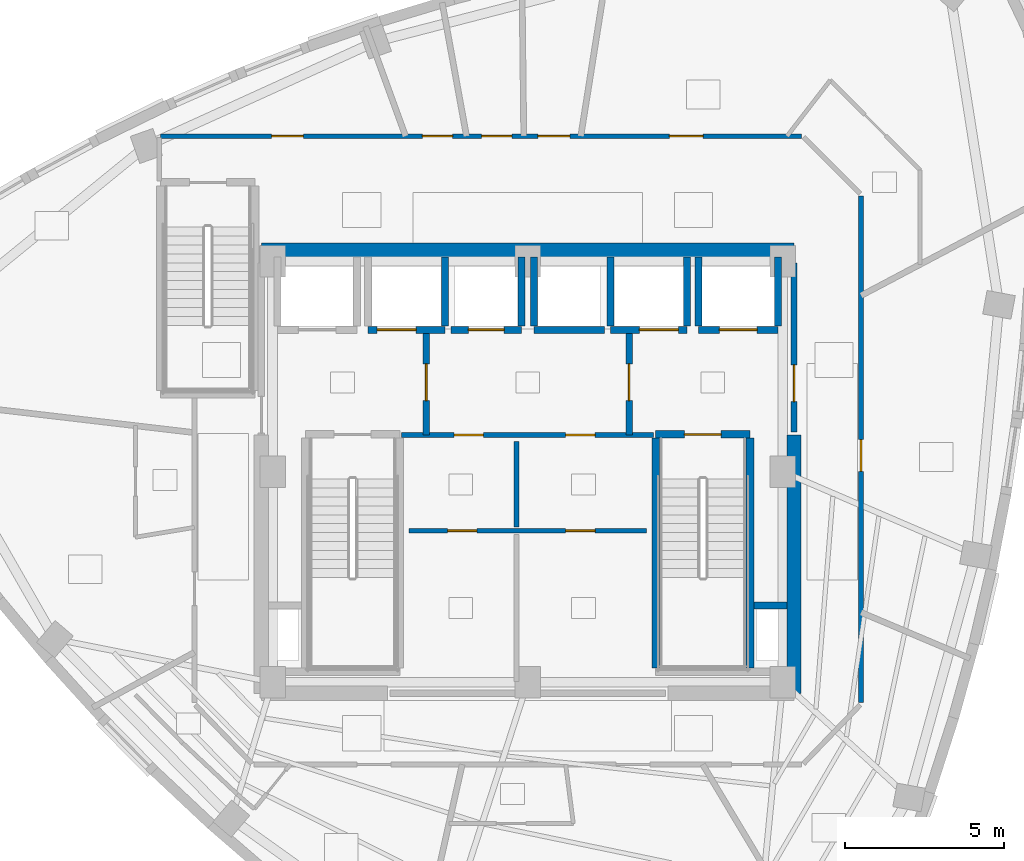
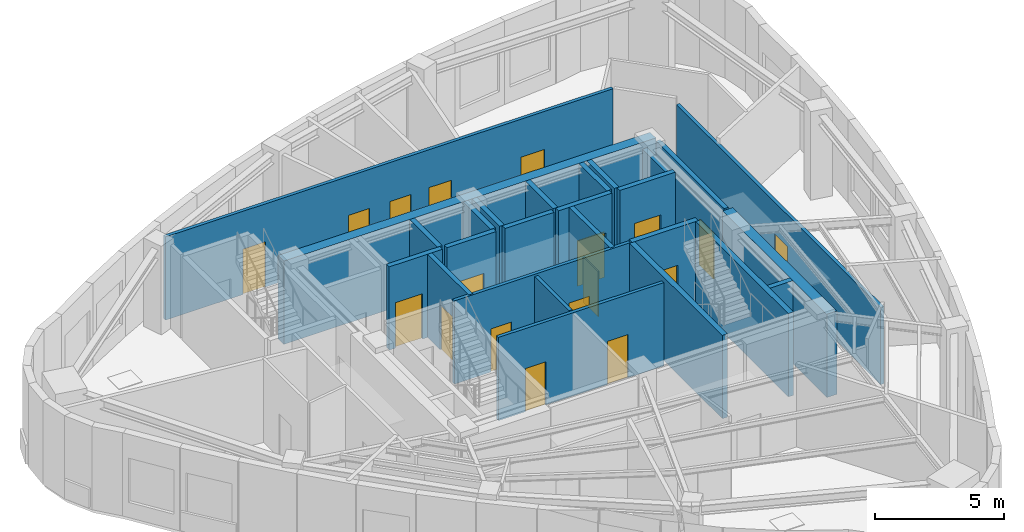
# One storey, part 4 of 9: 26 walls, 18 doors, 18 openings.
"""IFC4 building model written with IfcOpenShell, lengths in metres."""

from ifc_helpers import new_model, si_unit, direction, frame, frame_2d, origin, place, context, subcontext, project, spatial, rectangle, extrude, material, layer, layer_set, type_object, element, fill, save


model = new_model("IFC4")

# Units and contexts
model_context = context("Model", 3, precision=1e-05, world=origin(), true_north=direction((0.0, 1.0)))
body_context = subcontext(model_context, "Body", "Model", "MODEL_VIEW")
ifc_project = project(units=[si_unit("LENGTHUNIT", "METRE"), si_unit("AREAUNIT", "SQUARE_METRE"), si_unit("VOLUMEUNIT", "CUBIC_METRE"), si_unit("PLANEANGLEUNIT", "RADIAN"), si_unit("MASSUNIT", "GRAM", prefix="KILO")], contexts=[model_context])

# Site, building, storey
site_placement = place(None, origin())
site = spatial("IfcSite", under=ifc_project, at=site_placement, CompositionType="ELEMENT")
building_placement = place(site_placement, origin())
building = spatial("IfcBuilding", under=site, at=building_placement, Name="Ndelora Gate Hotel", CompositionType="ELEMENT")
storey_placement = place(building_placement, frame((0.0, 0.0, 264.39990234375)))
storey = spatial("IfcBuildingStorey", under=building, at=storey_placement, Name="L66", CompositionType="ELEMENT", Elevation=264.39990234375)

# Walls
ifc_material_1 = material(Name="Concrete C50/60", Category="concrete")
ifc_layer_1 = layer(ifc_material_1, 0.449951171875)
ifc_layer_set_1 = layer_set([ifc_layer_1], Name="Concrete C50/60")
wall_type_1 = type_object("IfcWallType", Name="WL-CORE-450", PredefinedType="SHEAR", material=ifc_layer_set_1)
wall_1_placement = place(storey_placement, frame((-8.35009765625, 6.949951171875, 0.0), z_axis=(0.0, 0.0, 1.0), x_axis=(1.0, 0.0, 0.0)))
element("IfcWall", 1, at=wall_1_placement, inside=storey, type_object=wall_type_1, Name="L66 Core Shear Wall N", PredefinedType="SHEAR", context=body_context, shape_type="SweptSolid", body=[
    extrude(rectangle(XDim=16.7001953125, YDim=0.449951171875, at=frame_2d((8.35009765625, 0.0))), origin(), (0.0, 0.0, 1.0), 3.9501953125),
])
wall_2_placement = place(storey_placement, frame((8.35009765625, -6.949951171875, 0.0), z_axis=(0.0, 0.0, 1.0), x_axis=(0.0, 1.0, 0.0)))
element("IfcWall", 2, at=wall_2_placement, inside=storey, type_object=wall_type_1, Name="L66 Core Shear Wall E", PredefinedType="SHEAR", context=body_context, shape_type="SweptSolid", body=[
    extrude(rectangle(XDim=8.099853515625, YDim=0.449951171875, at=frame_2d((4.0498046875, 0.0))), origin(), (0.0, 0.0, 1.0), 3.9501953125),
])

# Wall, opening, door
ifc_material_2 = material(Name="Concrete C40/50", Category="concrete")
ifc_layer_2 = layer(ifc_material_2, 0.199951171875)
ifc_layer_set_2 = layer_set([ifc_layer_2], Name="Concrete C40/50")
wall_type_2 = type_object("IfcWallType", Name="WL-FIRE-200", PredefinedType="PARTITIONING", material=ifc_layer_set_2)
wall_3_placement = place(storey_placement, frame((-3.179931640625, 1.14990234375, 0.0), z_axis=(0.0, 0.0, 1.0), x_axis=(0.0, 1.0, 0.0)))
wall_3 = element("IfcWall", 3, at=wall_3_placement, inside=storey, type_object=wall_type_2, Name="L66 Interior Wall IW-2", PredefinedType="PARTITIONING", context=body_context, shape_type="SweptSolid", body=[
    extrude(rectangle(XDim=3.300048828125, YDim=0.199951171875, at=frame_2d((1.64990234375, 0.0))), origin(), (0.0, 0.0, 1.0), 3.9501953125),
])
opening_1_placement = place(wall_3_placement, frame((1.080078125, 0.0, 0.0)))
opening_1 = element("IfcOpeningElement", 4, at=opening_1_placement, cuts=wall_3, Name="Opening FD1", PredefinedType="OPENING", context=body_context, shape_type="SweptSolid", body=[
    extrude(rectangle(XDim=1.14990234375, YDim=2.14990234375, at=frame_2d((0.574951171875, 1.074951171875))), frame((0.0, 0.10986328125, 0.0), z_axis=(0.0, -1.0, 0.0), x_axis=(1.0, 0.0, 0.0)), (0.0, 0.0, 1.0), 0.219970703125),
])
ifc_material_3 = material(Name="Fire-Rated Timber-Veneer Steel Core", Category="steel")
door_type_1 = type_object("IfcDoorType", Name="DR-FD60", OperationType="SINGLE_SWING_LEFT", PredefinedType="DOOR", material=ifc_material_3)
door_1_placement = place(opening_1_placement, origin())
door_1 = element("IfcDoor", 5, at=door_1_placement, inside=storey, type_object=door_type_1, Name="L66 Firefighting Lobby West Door", OperationType="SINGLE_SWING_RIGHT", OverallHeight=2.14990234375, OverallWidth=1.14990234375, PredefinedType="DOOR", context=body_context, shape_type="SweptSolid", body=[
    extrude(rectangle(XDim=1.14990234375, YDim=2.14990234375, at=frame_2d((0.574951171875, 1.074951171875))), frame((0.0, 0.02490234375, 0.0), z_axis=(0.0, -1.0, 0.0), x_axis=(1.0, 0.0, 0.0)), (0.0, 0.0, 1.0), 0.050048828125),
])
fill(opening_1, door_1)

wall_4_placement = place(storey_placement, frame((3.179931640625, 1.14990234375, 0.0), z_axis=(0.0, 0.0, 1.0), x_axis=(0.0, 1.0, 0.0)))
wall_4 = element("IfcWall", 6, at=wall_4_placement, inside=storey, type_object=wall_type_2, Name="L66 Interior Wall IW-2", PredefinedType="PARTITIONING", context=body_context, shape_type="SweptSolid", body=[
    extrude(rectangle(XDim=3.300048828125, YDim=0.199951171875, at=frame_2d((1.64990234375, 0.0))), origin(), (0.0, 0.0, 1.0), 3.9501953125),
])
opening_2_placement = place(wall_4_placement, frame((1.080078125, 0.0, 0.0)))
opening_2 = element("IfcOpeningElement", 7, at=opening_2_placement, cuts=wall_4, Name="Opening FD1", PredefinedType="OPENING", context=body_context, shape_type="SweptSolid", body=[
    extrude(rectangle(XDim=1.14990234375, YDim=2.14990234375, at=frame_2d((0.574951171875, 1.074951171875))), frame((0.0, 0.10986328125, 0.0), z_axis=(0.0, -1.0, 0.0), x_axis=(1.0, 0.0, 0.0)), (0.0, 0.0, 1.0), 0.219970703125),
])
door_2_placement = place(opening_2_placement, origin())
door_2 = element("IfcDoor", 8, at=door_2_placement, inside=storey, type_object=door_type_1, Name="L66 Firefighting Lobby East Door", OperationType="SINGLE_SWING_LEFT", OverallHeight=2.14990234375, OverallWidth=1.14990234375, PredefinedType="DOOR", context=body_context, shape_type="SweptSolid", body=[
    extrude(rectangle(XDim=1.14990234375, YDim=2.14990234375, at=frame_2d((0.574951171875, 1.074951171875))), frame((0.0, 0.02490234375, 0.0), z_axis=(0.0, -1.0, 0.0), x_axis=(1.0, 0.0, 0.0)), (0.0, 0.0, 1.0), 0.050048828125),
])
fill(opening_2, door_2)

wall_5_placement = place(storey_placement, frame((8.35009765625, 1.25, 0.0), z_axis=(0.0, 0.0, 1.0), x_axis=(0.0, 1.0, 0.0)))
wall_5 = element("IfcWall", 9, at=wall_5_placement, inside=storey, type_object=wall_type_2, Name="L66 Interior Wall IW-2", PredefinedType="PARTITIONING", context=body_context, shape_type="SweptSolid", body=[
    extrude(rectangle(XDim=5.300048828125, YDim=0.199951171875, at=frame_2d((2.64990234375, 0.0))), origin(), (0.0, 0.0, 1.0), 3.9501953125),
])
opening_3_placement = place(wall_5_placement, frame((0.949951171875, 0.0, 0.0)))
opening_3 = element("IfcOpeningElement", 10, at=opening_3_placement, cuts=wall_5, Name="Opening FD1", PredefinedType="OPENING", context=body_context, shape_type="SweptSolid", body=[
    extrude(rectangle(XDim=1.14990234375, YDim=2.14990234375, at=frame_2d((0.574951171875, 1.074951171875))), frame((0.0, 0.10986328125, 0.0), z_axis=(0.0, -1.0, 0.0), x_axis=(1.0, 0.0, 0.0)), (0.0, 0.0, 1.0), 0.219970703125),
])
door_3_placement = place(opening_3_placement, origin())
door_3 = element("IfcDoor", 11, at=door_3_placement, inside=storey, type_object=door_type_1, Name="L66 Firefighting Lobby East Corridor Door", OperationType="SINGLE_SWING_RIGHT", OverallHeight=2.14990234375, OverallWidth=1.14990234375, PredefinedType="DOOR", context=body_context, shape_type="SweptSolid", body=[
    extrude(rectangle(XDim=1.14990234375, YDim=2.14990234375, at=frame_2d((0.574951171875, 1.074951171875))), frame((0.0, 0.02490234375, 0.0), z_axis=(0.0, -1.0, 0.0), x_axis=(1.0, 0.0, 0.0)), (0.0, 0.0, 1.0), 0.050048828125),
])
fill(opening_3, door_3)

# Wall, openings, doors
ifc_material_4 = material(Name="Fire-Rated Gypsum Stud Partition", Category="gypsum")
ifc_layer_3 = layer(ifc_material_4, 0.14990234375)
ifc_layer_set_3 = layer_set([ifc_layer_3], Name="Fire-Rated Gypsum Stud Partition")
wall_type_3 = type_object("IfcWallType", Name="WL-PART-150", PredefinedType="PARTITIONING", material=ifc_layer_set_3)
wall_6_placement = place(storey_placement, frame((3.949951171875, 1.14990234375, 0.0), z_axis=(0.0, 0.0, 1.0), x_axis=(-1.0, 0.0, 0.0)))
wall_6 = element("IfcWall", 12, at=wall_6_placement, inside=storey, type_object=wall_type_3, Name="L66 Interior Wall IW-5", PredefinedType="PARTITIONING", context=body_context, shape_type="SweptSolid", body=[
    extrude(rectangle(XDim=7.89990234375, YDim=0.14990234375, at=frame_2d((3.949951171875, 0.0))), origin(), (0.0, 0.0, 1.0), 3.9501953125),
])
opening_4_placement = place(wall_6_placement, frame((5.340087890625, 0.0, 0.0)))
opening_4 = element("IfcOpeningElement", 13, at=opening_4_placement, cuts=wall_6, Name="Opening D04", PredefinedType="OPENING", context=body_context, shape_type="SweptSolid", body=[
    extrude(rectangle(XDim=0.919921875, YDim=2.050048828125, at=frame_2d((0.4599609375, 1.02490234375))), frame((0.0, 0.0849609375, 0.0), z_axis=(0.0, -1.0, 0.0), x_axis=(1.0, 0.0, 0.0)), (0.0, 0.0, 1.0), 0.169921875),
])
opening_5_placement = place(wall_6_placement, frame((1.840087890625, 0.0, 0.0)))
opening_5 = element("IfcOpeningElement", 14, at=opening_5_placement, cuts=wall_6, Name="Opening D04", PredefinedType="OPENING", context=body_context, shape_type="SweptSolid", body=[
    extrude(rectangle(XDim=0.919921875, YDim=2.050048828125, at=frame_2d((0.4599609375, 1.02490234375))), frame((0.0, 0.0849609375, 0.0), z_axis=(0.0, -1.0, 0.0), x_axis=(1.0, 0.0, 0.0)), (0.0, 0.0, 1.0), 0.169921875),
])
ifc_material_5 = material(Name="Painted Steel Core Service Door", Category="steel")
door_type_2 = type_object("IfcDoorType", Name="DR-SER-920", OperationType="SINGLE_SWING_LEFT", PredefinedType="DOOR", material=ifc_material_5)
door_4_placement = place(opening_4_placement, origin())
door_4 = element("IfcDoor", 15, at=door_4_placement, inside=storey, type_object=door_type_2, Name="L66 Core Electrical Closet Door", OperationType="SINGLE_SWING_LEFT", OverallHeight=2.050048828125, OverallWidth=0.919921875, PredefinedType="DOOR", context=body_context, shape_type="SweptSolid", body=[
    extrude(rectangle(XDim=0.919921875, YDim=2.050048828125, at=frame_2d((0.4599609375, 1.02490234375))), frame((0.0, 0.02490234375, 0.0), z_axis=(0.0, -1.0, 0.0), x_axis=(1.0, 0.0, 0.0)), (0.0, 0.0, 1.0), 0.050048828125),
])
fill(opening_4, door_4)
door_5_placement = place(opening_5_placement, origin())
door_5 = element("IfcDoor", 16, at=door_5_placement, inside=storey, type_object=door_type_2, Name="L66 Comms Patching Store Door", OperationType="SINGLE_SWING_RIGHT", OverallHeight=2.050048828125, OverallWidth=0.919921875, PredefinedType="DOOR", context=body_context, shape_type="SweptSolid", body=[
    extrude(rectangle(XDim=0.919921875, YDim=2.050048828125, at=frame_2d((0.4599609375, 1.02490234375))), frame((0.0, 0.02490234375, 0.0), z_axis=(0.0, -1.0, 0.0), x_axis=(1.0, 0.0, 0.0)), (0.0, 0.0, 1.0), 0.050048828125),
])
fill(opening_5, door_5)

wall_7_placement = place(storey_placement, frame((-3.719970703125, -1.85009765625, 0.0), z_axis=(0.0, 0.0, 1.0), x_axis=(1.0, 0.0, 0.0)))
wall_7 = element("IfcWall", 17, at=wall_7_placement, inside=storey, type_object=wall_type_3, Name="L66 Interior Wall IW-5", PredefinedType="PARTITIONING", context=body_context, shape_type="SweptSolid", body=[
    extrude(rectangle(XDim=7.43994140625, YDim=0.14990234375, at=frame_2d((3.719970703125, 0.0))), origin(), (0.0, 0.0, 1.0), 3.9501953125),
])
opening_6_placement = place(wall_7_placement, frame((1.2099609375, 0.0, 0.0)))
opening_6 = element("IfcOpeningElement", 18, at=opening_6_placement, cuts=wall_7, Name="Opening D04", PredefinedType="OPENING", context=body_context, shape_type="SweptSolid", body=[
    extrude(rectangle(XDim=0.919921875, YDim=2.050048828125, at=frame_2d((0.4599609375, 1.02490234375))), frame((0.0, 0.0849609375, 0.0), z_axis=(0.0, -1.0, 0.0), x_axis=(1.0, 0.0, 0.0)), (0.0, 0.0, 1.0), 0.169921875),
])
opening_7_placement = place(wall_7_placement, frame((4.909912109375, 0.0, 0.0)))
opening_7 = element("IfcOpeningElement", 19, at=opening_7_placement, cuts=wall_7, Name="Opening D04", PredefinedType="OPENING", context=body_context, shape_type="SweptSolid", body=[
    extrude(rectangle(XDim=0.919921875, YDim=2.050048828125, at=frame_2d((0.4599609375, 1.02490234375))), frame((0.0, 0.0849609375, 0.0), z_axis=(0.0, -1.0, 0.0), x_axis=(1.0, 0.0, 0.0)), (0.0, 0.0, 1.0), 0.169921875),
])
door_6_placement = place(opening_6_placement, origin())
door_6 = element("IfcDoor", 20, at=door_6_placement, inside=storey, type_object=door_type_2, Name="L66 Core Service Internal Door", OperationType="SINGLE_SWING_LEFT", OverallHeight=2.050048828125, OverallWidth=0.919921875, PredefinedType="DOOR", context=body_context, shape_type="SweptSolid", body=[
    extrude(rectangle(XDim=0.919921875, YDim=2.050048828125, at=frame_2d((0.4599609375, 1.02490234375))), frame((0.0, 0.02490234375, 0.0), z_axis=(0.0, -1.0, 0.0), x_axis=(1.0, 0.0, 0.0)), (0.0, 0.0, 1.0), 0.050048828125),
])
fill(opening_6, door_6)
door_7_placement = place(opening_7_placement, origin())
door_7 = element("IfcDoor", 21, at=door_7_placement, inside=storey, type_object=door_type_2, Name="L66 Core Service Internal Door", OperationType="SINGLE_SWING_LEFT", OverallHeight=2.050048828125, OverallWidth=0.919921875, PredefinedType="DOOR", context=body_context, shape_type="SweptSolid", body=[
    extrude(rectangle(XDim=0.919921875, YDim=2.050048828125, at=frame_2d((0.4599609375, 1.02490234375))), frame((0.0, 0.02490234375, 0.0), z_axis=(0.0, -1.0, 0.0), x_axis=(1.0, 0.0, 0.0)), (0.0, 0.0, 1.0), 0.050048828125),
])
fill(opening_7, door_7)

# Wall
wall_8_placement = place(storey_placement, frame((-0.35009765625, -1.72998046875, 0.0), z_axis=(0.0, 0.0, 1.0), x_axis=(0.0, 1.0, 0.0)))
element("IfcWall", 22, at=wall_8_placement, inside=storey, type_object=wall_type_3, Name="L66 Interior Wall IW-5", PredefinedType="PARTITIONING", context=body_context, shape_type="SweptSolid", body=[
    extrude(rectangle(XDim=2.679931640625, YDim=0.14990234375, at=frame_2d((1.33984375, 0.0))), origin(), (0.0, 0.0, 1.0), 3.9501953125),
])

# Wall, opening, door
wall_9_placement = place(storey_placement, frame((10.449951171875, 8.64990234375, 0.0), z_axis=(0.0, 0.0, 1.0), x_axis=(0.0, -1.0, 0.0)))
wall_9 = element("IfcWall", 23, at=wall_9_placement, inside=storey, type_object=wall_type_3, Name="L66 Interior Wall IW-5", PredefinedType="PARTITIONING", context=body_context, shape_type="SweptSolid", body=[
    extrude(rectangle(XDim=15.889892578125, YDim=0.14990234375, at=frame_2d((7.94482421875, 0.0))), origin(), (0.0, 0.0, 1.0), 3.66015625),
])
opening_8_placement = place(wall_9_placement, frame((7.64111328125, 0.0, 0.0)))
opening_8 = element("IfcOpeningElement", 24, at=opening_8_placement, cuts=wall_9, Name="Opening D01", PredefinedType="OPENING", context=body_context, shape_type="SweptSolid", body=[
    extrude(rectangle(XDim=1.0, YDim=2.14990234375, at=frame_2d((0.5, 1.074951171875))), frame((0.0, 0.0849609375, 0.0), z_axis=(0.0, -1.0, 0.0), x_axis=(1.0, 0.0, 0.0)), (0.0, 0.0, 1.0), 0.169921875),
])
ifc_material_6 = material(Name="Acoustic Hardwood Guest Entrance Door", Category="wood")
door_type_3 = type_object("IfcDoorType", Name="DR-COR-1000", OperationType="SINGLE_SWING_LEFT", PredefinedType="DOOR", material=ifc_material_6)
door_8_placement = place(opening_8_placement, origin())
door_8 = element("IfcDoor", 25, at=door_8_placement, inside=storey, type_object=door_type_3, Name="L66 Crown Horizon Salon Entrance Door", OperationType="SINGLE_SWING_RIGHT", OverallHeight=2.14990234375, OverallWidth=1.0, PredefinedType="DOOR", context=body_context, shape_type="SweptSolid", body=[
    extrude(rectangle(XDim=1.0, YDim=2.14990234375, at=frame_2d((0.5, 1.074951171875))), frame((0.0, 0.02490234375, 0.0), z_axis=(0.0, -1.0, 0.0), x_axis=(1.0, 0.0, 0.0)), (0.0, 0.0, 1.0), 0.050048828125),
])
fill(opening_8, door_8)

# Wall, openings, doors
wall_10_placement = place(storey_placement, frame((-11.510009765625, 10.52001953125, 0.0), z_axis=(0.0, 0.0, 1.0), x_axis=(1.0, 0.0, 0.0)))
wall_10 = element("IfcWall", 26, at=wall_10_placement, inside=storey, type_object=wall_type_3, Name="L66 Interior Wall IW-5", PredefinedType="PARTITIONING", context=body_context, shape_type="SweptSolid", body=[
    extrude(rectangle(XDim=20.090087890625, YDim=0.14990234375, at=frame_2d((10.044921875, 0.0))), origin(), (0.0, 0.0, 1.0), 3.9501953125),
])
opening_9_placement = place(wall_10_placement, frame((8.2060546875, 0.0, 0.0)))
opening_9 = element("IfcOpeningElement", 27, at=opening_9_placement, cuts=wall_10, Name="Opening D05", PredefinedType="OPENING", context=body_context, shape_type="SweptSolid", body=[
    extrude(rectangle(XDim=0.949951171875, YDim=2.10009765625, at=frame_2d((0.47509765625, 1.050048828125))), frame((0.0, 0.0849609375, 0.0), z_axis=(0.0, -1.0, 0.0), x_axis=(1.0, 0.0, 0.0)), (0.0, 0.0, 1.0), 0.169921875),
])
opening_10_placement = place(wall_10_placement, frame((10.062744140625, 0.0, 0.0)))
opening_10 = element("IfcOpeningElement", 28, at=opening_10_placement, cuts=wall_10, Name="Opening D05", PredefinedType="OPENING", context=body_context, shape_type="SweptSolid", body=[
    extrude(rectangle(XDim=0.949951171875, YDim=2.10009765625, at=frame_2d((0.47509765625, 1.050048828125))), frame((0.0, 0.0849609375, 0.0), z_axis=(0.0, -1.0, 0.0), x_axis=(1.0, 0.0, 0.0)), (0.0, 0.0, 1.0), 0.169921875),
])
opening_11_placement = place(wall_10_placement, frame((11.831787109375, 0.0, 0.0)))
opening_11 = element("IfcOpeningElement", 29, at=opening_11_placement, cuts=wall_10, Name="Opening D01", PredefinedType="OPENING", context=body_context, shape_type="SweptSolid", body=[
    extrude(rectangle(XDim=1.0, YDim=2.14990234375, at=frame_2d((0.5, 1.074951171875))), frame((0.0, 0.0849609375, 0.0), z_axis=(0.0, -1.0, 0.0), x_axis=(1.0, 0.0, 0.0)), (0.0, 0.0, 1.0), 0.169921875),
])
opening_12_placement = place(wall_10_placement, frame((3.48046875, 0.0, 0.0)))
opening_12 = element("IfcOpeningElement", 30, at=opening_12_placement, cuts=wall_10, Name="Opening D01", PredefinedType="OPENING", context=body_context, shape_type="SweptSolid", body=[
    extrude(rectangle(XDim=1.0, YDim=2.14990234375, at=frame_2d((0.5, 1.074951171875))), frame((0.0, 0.0849609375, 0.0), z_axis=(0.0, -1.0, 0.0), x_axis=(1.0, 0.0, 0.0)), (0.0, 0.0, 1.0), 0.169921875),
])
opening_13_placement = place(wall_10_placement, frame((15.947998046875, 0.0, 0.0)))
opening_13 = element("IfcOpeningElement", 31, at=opening_13_placement, cuts=wall_10, Name="Opening D07", PredefinedType="OPENING", context=body_context, shape_type="SweptSolid", body=[
    extrude(rectangle(XDim=1.06005859375, YDim=2.14990234375, at=frame_2d((0.530029296875, 1.074951171875))), frame((0.0, 0.0849609375, 0.0), z_axis=(0.0, -1.0, 0.0), x_axis=(1.0, 0.0, 0.0)), (0.0, 0.0, 1.0), 0.169921875),
])
ifc_material_7 = material(Name="Accessible Restroom Wide-Clearance Door", Category="wood")
door_type_4 = type_object("IfcDoorType", Name="DR-ACC-950", OperationType="SINGLE_SWING_LEFT", PredefinedType="DOOR", material=ifc_material_7)
door_9_placement = place(opening_9_placement, origin())
door_9 = element("IfcDoor", 32, at=door_9_placement, inside=storey, type_object=door_type_4, Name="L66 Accessible WC Entrance Door", OperationType="SINGLE_SWING_RIGHT", OverallHeight=2.10009765625, OverallWidth=0.949951171875, PredefinedType="DOOR", context=body_context, shape_type="SweptSolid", body=[
    extrude(rectangle(XDim=0.949951171875, YDim=2.10009765625, at=frame_2d((0.47509765625, 1.050048828125))), frame((0.0, 0.02490234375, 0.0), z_axis=(0.0, -1.0, 0.0), x_axis=(1.0, 0.0, 0.0)), (0.0, 0.0, 1.0), 0.050048828125),
])
fill(opening_9, door_9)
door_10_placement = place(opening_10_placement, origin())
door_10 = element("IfcDoor", 33, at=door_10_placement, inside=storey, type_object=door_type_4, Name="L66 Male Public Restroom Entrance Door", OperationType="SINGLE_SWING_LEFT", OverallHeight=2.10009765625, OverallWidth=0.949951171875, PredefinedType="DOOR", context=body_context, shape_type="SweptSolid", body=[
    extrude(rectangle(XDim=0.949951171875, YDim=2.10009765625, at=frame_2d((0.47509765625, 1.050048828125))), frame((0.0, 0.02490234375, 0.0), z_axis=(0.0, -1.0, 0.0), x_axis=(1.0, 0.0, 0.0)), (0.0, 0.0, 1.0), 0.050048828125),
])
fill(opening_10, door_10)
door_11_placement = place(opening_11_placement, origin())
door_11 = element("IfcDoor", 34, at=door_11_placement, inside=storey, type_object=door_type_3, Name="L66 Housekeeping and Linen Room Entrance Door", OperationType="SINGLE_SWING_RIGHT", OverallHeight=2.14990234375, OverallWidth=1.0, PredefinedType="DOOR", context=body_context, shape_type="SweptSolid", body=[
    extrude(rectangle(XDim=1.0, YDim=2.14990234375, at=frame_2d((0.5, 1.074951171875))), frame((0.0, 0.02490234375, 0.0), z_axis=(0.0, -1.0, 0.0), x_axis=(1.0, 0.0, 0.0)), (0.0, 0.0, 1.0), 0.050048828125),
])
fill(opening_11, door_11)
door_12_placement = place(opening_12_placement, origin())
door_12 = element("IfcDoor", 35, at=door_12_placement, inside=storey, type_object=door_type_3, Name="L66 Sky Garden Tea Dining Room Entrance Door", OperationType="SINGLE_SWING_LEFT", OverallHeight=2.14990234375, OverallWidth=1.0, PredefinedType="DOOR", context=body_context, shape_type="SweptSolid", body=[
    extrude(rectangle(XDim=1.0, YDim=2.14990234375, at=frame_2d((0.5, 1.074951171875))), frame((0.0, 0.02490234375, 0.0), z_axis=(0.0, -1.0, 0.0), x_axis=(1.0, 0.0, 0.0)), (0.0, 0.0, 1.0), 0.050048828125),
])
fill(opening_12, door_12)
ifc_material_8 = material(Name="Diplomatic Suite Acoustic Entrance Door", Category="wood")
door_type_5 = type_object("IfcDoorType", Name="DR-SUITE-1060", OperationType="SINGLE_SWING_LEFT", PredefinedType="DOOR", material=ifc_material_8)
door_13_placement = place(opening_13_placement, origin())
door_13 = element("IfcDoor", 36, at=door_13_placement, inside=storey, type_object=door_type_5, Name="L66 Crown Horizon Suite 6904 Entrance Door", OperationType="SINGLE_SWING_RIGHT", OverallHeight=2.14990234375, OverallWidth=1.06005859375, PredefinedType="DOOR", context=body_context, shape_type="SweptSolid", body=[
    extrude(rectangle(XDim=1.06005859375, YDim=2.14990234375, at=frame_2d((0.530029296875, 1.074951171875))), frame((0.0, 0.02490234375, 0.0), z_axis=(0.0, -1.0, 0.0), x_axis=(1.0, 0.0, 0.0)), (0.0, 0.0, 1.0), 0.050048828125),
])
fill(opening_13, door_13)

# Wall
ifc_layer_4 = layer(ifc_material_2, 0.219970703125)
ifc_layer_set_4 = layer_set([ifc_layer_4], Name="Concrete C40/50")
wall_type_4 = type_object("IfcWallType", Name="WL-SHAFT-220", PredefinedType="PARTITIONING", material=ifc_layer_set_4)
wall_11_placement = place(storey_placement, frame((7.090087890625, -4.199951171875, 0.0), z_axis=(0.0, 0.0, 1.0), x_axis=(1.0, 0.0, 0.0)))
element("IfcWall", 37, at=wall_11_placement, inside=storey, type_object=wall_type_4, Name="L66 Interior Wall IW-1", PredefinedType="PARTITIONING", context=body_context, shape_type="SweptSolid", body=[
    extrude(rectangle(XDim=1.034912109375, YDim=0.219970703125, at=frame_2d((0.517578125, 0.0))), origin(), (0.0, 0.0, 1.0), 3.9501953125),
])

# Wall, opening, door
wall_12_placement = place(storey_placement, frame((5.35009765625, 4.449951171875, 0.0), z_axis=(0.0, 0.0, 1.0), x_axis=(1.0, 0.0, 0.0)))
wall_12 = element("IfcWall", 38, at=wall_12_placement, inside=storey, type_object=wall_type_4, Name="L66 Interior Wall IW-1", PredefinedType="PARTITIONING", context=body_context, shape_type="SweptSolid", body=[
    extrude(rectangle(XDim=2.5, YDim=0.219970703125, at=frame_2d((1.25, 0.0))), origin(), (0.0, 0.0, 1.0), 3.9501953125),
])
opening_14_placement = place(wall_12_placement, frame((0.659912109375, 0.0, 0.0)))
opening_14 = element("IfcOpeningElement", 39, at=opening_14_placement, cuts=wall_12, Name="Opening LD5", PredefinedType="OPENING", context=body_context, shape_type="SweptSolid", body=[
    extrude(rectangle(XDim=1.179931640625, YDim=2.14990234375, at=frame_2d((0.58984375, 1.074951171875))), frame((0.0, 0.1201171875, 0.0), z_axis=(0.0, -1.0, 0.0), x_axis=(1.0, 0.0, 0.0)), (0.0, 0.0, 1.0), 0.239990234375),
])
ifc_material_9 = material(Name="Firefighting Lift Stainless Sliding Landing Door", Category="metal")
door_type_6 = type_object("IfcDoorType", Name="DR-LD5", OperationType="DOUBLE_DOOR_SLIDING", PredefinedType="DOOR", material=ifc_material_9)
door_14_placement = place(opening_14_placement, origin())
door_14 = element("IfcDoor", 40, at=door_14_placement, inside=storey, type_object=door_type_6, Name="L66 Lift Landing Sliding Door FFL2", OperationType="DOUBLE_DOOR_SLIDING", OverallHeight=2.14990234375, OverallWidth=1.179931640625, PredefinedType="DOOR", context=body_context, shape_type="SweptSolid", body=[
    extrude(rectangle(XDim=1.179931640625, YDim=2.14990234375, at=frame_2d((0.58984375, 1.074951171875))), frame((0.0, 0.02490234375, 0.0), z_axis=(0.0, -1.0, 0.0), x_axis=(1.0, 0.0, 0.0)), (0.0, 0.0, 1.0), 0.050048828125),
])
fill(opening_14, door_14)

# Walls
wall_13_placement = place(storey_placement, frame((5.35009765625, 4.570068359375, 0.0), z_axis=(0.0, 0.0, 1.0), x_axis=(0.0, 1.0, 0.0)))
element("IfcWall", 41, at=wall_13_placement, inside=storey, type_object=wall_type_4, Name="L66 Interior Wall IW-1", PredefinedType="PARTITIONING", context=body_context, shape_type="SweptSolid", body=[
    extrude(rectangle(XDim=2.155029296875, YDim=0.219970703125, at=frame_2d((1.07763671875, 0.0))), origin(), (0.0, 0.0, 1.0), 3.9501953125),
])
wall_14_placement = place(storey_placement, frame((7.85009765625, 4.570068359375, 0.0), z_axis=(0.0, 0.0, 1.0), x_axis=(0.0, 1.0, 0.0)))
element("IfcWall", 42, at=wall_14_placement, inside=storey, type_object=wall_type_4, Name="L66 Interior Wall IW-1", PredefinedType="PARTITIONING", context=body_context, shape_type="SweptSolid", body=[
    extrude(rectangle(XDim=2.155029296875, YDim=0.219970703125, at=frame_2d((1.07763671875, 0.0))), origin(), (0.0, 0.0, 1.0), 3.630126953125),
])

# Wall, opening, door
wall_15_placement = place(storey_placement, frame((-5.0, 4.449951171875, 0.0), z_axis=(0.0, 0.0, 1.0), x_axis=(1.0, 0.0, 0.0)))
wall_15 = element("IfcWall", 43, at=wall_15_placement, inside=storey, type_object=wall_type_4, Name="L66 Interior Wall IW-1", PredefinedType="PARTITIONING", context=body_context, shape_type="SweptSolid", body=[
    extrude(rectangle(XDim=2.39990234375, YDim=0.219970703125, at=frame_2d((1.199951171875, 0.0))), origin(), (0.0, 0.0, 1.0), 3.9501953125),
])
opening_15_placement = place(wall_15_placement, frame((0.280029296875, 0.0, 0.0)))
opening_15 = element("IfcOpeningElement", 44, at=opening_15_placement, cuts=wall_15, Name="Opening LD6", PredefinedType="OPENING", context=body_context, shape_type="SweptSolid", body=[
    extrude(rectangle(XDim=1.219970703125, YDim=2.14990234375, at=frame_2d((0.60986328125, 1.074951171875))), frame((0.0, 0.1201171875, 0.0), z_axis=(0.0, -1.0, 0.0), x_axis=(1.0, 0.0, 0.0)), (0.0, 0.0, 1.0), 0.239990234375),
])
ifc_material_10 = material(Name="Heavy-Duty Service Lift Sliding Landing Door", Category="wood")
door_type_7 = type_object("IfcDoorType", Name="DR-LD6", OperationType="DOUBLE_DOOR_SLIDING", PredefinedType="DOOR", material=ifc_material_10)
door_15_placement = place(opening_15_placement, origin())
door_15 = element("IfcDoor", 45, at=door_15_placement, inside=storey, type_object=door_type_7, Name="L66 Lift Landing Sliding Door SVL1", OperationType="DOUBLE_DOOR_SLIDING", OverallHeight=2.14990234375, OverallWidth=1.219970703125, PredefinedType="DOOR", context=body_context, shape_type="SweptSolid", body=[
    extrude(rectangle(XDim=1.219970703125, YDim=2.14990234375, at=frame_2d((0.60986328125, 1.074951171875))), frame((0.0, 0.02490234375, 0.0), z_axis=(0.0, -1.0, 0.0), x_axis=(1.0, 0.0, 0.0)), (0.0, 0.0, 1.0), 0.050048828125),
])
fill(opening_15, door_15)

# Wall
wall_16_placement = place(storey_placement, frame((-2.60009765625, 4.570068359375, 0.0), z_axis=(0.0, 0.0, 1.0), x_axis=(0.0, 1.0, 0.0)))
element("IfcWall", 46, at=wall_16_placement, inside=storey, type_object=wall_type_4, Name="L66 Interior Wall IW-1", PredefinedType="PARTITIONING", context=body_context, shape_type="SweptSolid", body=[
    extrude(rectangle(XDim=2.155029296875, YDim=0.219970703125, at=frame_2d((1.07763671875, 0.0))), origin(), (0.0, 0.0, 1.0), 3.9501953125),
])

# Wall, opening, door
wall_17_placement = place(storey_placement, frame((2.60009765625, 4.449951171875, 0.0), z_axis=(0.0, 0.0, 1.0), x_axis=(1.0, 0.0, 0.0)))
wall_17 = element("IfcWall", 47, at=wall_17_placement, inside=storey, type_object=wall_type_4, Name="L66 Interior Wall IW-1", PredefinedType="PARTITIONING", context=body_context, shape_type="SweptSolid", body=[
    extrude(rectangle(XDim=2.39990234375, YDim=0.219970703125, at=frame_2d((1.199951171875, 0.0))), origin(), (0.0, 0.0, 1.0), 3.9501953125),
])
opening_16_placement = place(wall_17_placement, frame((0.89990234375, 0.0, 0.0)))
opening_16 = element("IfcOpeningElement", 48, at=opening_16_placement, cuts=wall_17, Name="Opening LD6", PredefinedType="OPENING", context=body_context, shape_type="SweptSolid", body=[
    extrude(rectangle(XDim=1.219970703125, YDim=2.14990234375, at=frame_2d((0.60986328125, 1.074951171875))), frame((0.0, 0.1201171875, 0.0), z_axis=(0.0, -1.0, 0.0), x_axis=(1.0, 0.0, 0.0)), (0.0, 0.0, 1.0), 0.239990234375),
])
door_16_placement = place(opening_16_placement, origin())
door_16 = element("IfcDoor", 49, at=door_16_placement, inside=storey, type_object=door_type_7, Name="L66 Lift Landing Sliding Door SVL2", OperationType="DOUBLE_DOOR_SLIDING", OverallHeight=2.14990234375, OverallWidth=1.219970703125, PredefinedType="DOOR", context=body_context, shape_type="SweptSolid", body=[
    extrude(rectangle(XDim=1.219970703125, YDim=2.14990234375, at=frame_2d((0.60986328125, 1.074951171875))), frame((0.0, 0.02490234375, 0.0), z_axis=(0.0, -1.0, 0.0), x_axis=(1.0, 0.0, 0.0)), (0.0, 0.0, 1.0), 0.050048828125),
])
fill(opening_16, door_16)

# Walls
for number, where, z_axis, x_axis, name in (
    (50, (2.60009765625, 4.570068359375, 0.0), (0.0, 0.0, 1.0), (0.0, 1.0, 0.0), "L66 Interior Wall IW-1"),
    (51, (5.0, 4.570068359375, 0.0), (0.0, 0.0, 1.0), (0.0, 1.0, 0.0), "L66 Interior Wall IW-1"),
):
    element("IfcWall", number, at=place(storey_placement, frame(where, z_axis=z_axis, x_axis=x_axis)), inside=storey, type_object=wall_type_4, Name=name, PredefinedType="PARTITIONING", context=body_context, shape_type="SweptSolid", body=[
        extrude(rectangle(XDim=2.155029296875, YDim=0.219970703125, at=frame_2d((1.07763671875, 0.0))), origin(), (0.0, 0.0, 1.0), 3.9501953125),
    ])

# Wall, opening, door
wall_18_placement = place(storey_placement, frame((-2.39990234375, 4.449951171875, 0.0), z_axis=(0.0, 0.0, 1.0), x_axis=(1.0, 0.0, 0.0)))
wall_18 = element("IfcWall", 52, at=wall_18_placement, inside=storey, type_object=wall_type_4, Name="L66 Interior Wall IW-1", PredefinedType="PARTITIONING", context=body_context, shape_type="SweptSolid", body=[
    extrude(rectangle(XDim=2.199951171875, YDim=0.219970703125, at=frame_2d((1.10009765625, 0.0))), origin(), (0.0, 0.0, 1.0), 3.9501953125),
])
opening_17_placement = place(wall_18_placement, frame((0.5400390625, 0.0, 0.0)))
opening_17 = element("IfcOpeningElement", 53, at=opening_17_placement, cuts=wall_18, Name="Opening LD3", PredefinedType="OPENING", context=body_context, shape_type="SweptSolid", body=[
    extrude(rectangle(XDim=1.1201171875, YDim=2.14990234375, at=frame_2d((0.56005859375, 1.074951171875))), frame((0.0, 0.1201171875, 0.0), z_axis=(0.0, -1.0, 0.0), x_axis=(1.0, 0.0, 0.0)), (0.0, 0.0, 1.0), 0.239990234375),
])
ifc_material_11 = material(Name="Brushed Bronze Stainless Lift Landing Door", Category="metal")
door_type_8 = type_object("IfcDoorType", Name="DR-LD3", OperationType="DOUBLE_DOOR_SLIDING", PredefinedType="DOOR", material=ifc_material_11)
door_17_placement = place(opening_17_placement, origin())
door_17 = element("IfcDoor", 54, at=door_17_placement, inside=storey, type_object=door_type_8, Name="L66 Lift Landing Sliding Door P3A", OperationType="DOUBLE_DOOR_SLIDING", OverallHeight=2.14990234375, OverallWidth=1.1201171875, PredefinedType="DOOR", context=body_context, shape_type="SweptSolid", body=[
    extrude(rectangle(XDim=1.1201171875, YDim=2.14990234375, at=frame_2d((0.56005859375, 1.074951171875))), frame((0.0, 0.02490234375, 0.0), z_axis=(0.0, -1.0, 0.0), x_axis=(1.0, 0.0, 0.0)), (0.0, 0.0, 1.0), 0.050048828125),
])
fill(opening_17, door_17)

# Walls
wall_19_placement = place(storey_placement, frame((-0.199951171875, 4.570068359375, 0.0), z_axis=(0.0, 0.0, 1.0), x_axis=(0.0, 1.0, 0.0)))
element("IfcWall", 55, at=wall_19_placement, inside=storey, type_object=wall_type_4, Name="L66 Interior Wall IW-1", PredefinedType="PARTITIONING", context=body_context, shape_type="SweptSolid", body=[
    extrude(rectangle(XDim=2.155029296875, YDim=0.219970703125, at=frame_2d((1.07763671875, 0.0))), origin(), (0.0, 0.0, 1.0), 3.9501953125),
])
wall_20_placement = place(storey_placement, frame((0.199951171875, 4.449951171875, 0.0), z_axis=(0.0, 0.0, 1.0), x_axis=(1.0, 0.0, 0.0)))
element("IfcWall", 56, at=wall_20_placement, inside=storey, type_object=wall_type_4, Name="L66 Interior Wall IW-1", PredefinedType="PARTITIONING", context=body_context, shape_type="SweptSolid", body=[
    extrude(rectangle(XDim=2.199951171875, YDim=0.219970703125, at=frame_2d((1.10009765625, 0.0))), origin(), (0.0, 0.0, 1.0), 3.9501953125),
])
wall_21_placement = place(storey_placement, frame((0.199951171875, 4.570068359375, 0.0), z_axis=(0.0, 0.0, 1.0), x_axis=(0.0, 1.0, 0.0)))
element("IfcWall", 57, at=wall_21_placement, inside=storey, type_object=wall_type_4, Name="L66 Interior Wall IW-1", PredefinedType="PARTITIONING", context=body_context, shape_type="SweptSolid", body=[
    extrude(rectangle(XDim=2.155029296875, YDim=0.219970703125, at=frame_2d((1.07763671875, 0.0))), origin(), (0.0, 0.0, 1.0), 3.9501953125),
])
ifc_layer_5 = layer(ifc_material_1, 0.239990234375)
ifc_layer_set_5 = layer_set([ifc_layer_5], Name="Concrete C50/60")
wall_type_5 = type_object("IfcWallType", Name="WL-STAIR-240", PredefinedType="SHEAR", material=ifc_layer_set_5)
for number, where, z_axis, x_axis, name in (
    (58, (4.010009765625, -6.159912109375, 0.0), (0.0, 0.0, 1.0), (0.0, 1.0, 0.0), "L66 Stair Core Shear Wall SW-ST"),
    (59, (6.969970703125, -6.159912109375, 0.0), (0.0, 0.0, 1.0), (0.0, 1.0, 0.0), "L66 Stair Core Shear Wall SW-ST"),
):
    element("IfcWall", number, at=place(storey_placement, frame(where, z_axis=z_axis, x_axis=x_axis)), inside=storey, type_object=wall_type_5, Name=name, PredefinedType="SHEAR", context=body_context, shape_type="SweptSolid", body=[
        extrude(rectangle(XDim=7.219970703125, YDim=0.239990234375, at=frame_2d((3.60986328125, 0.0))), origin(), (0.0, 0.0, 1.0), 3.9501953125),
    ])

# Wall, opening, door
wall_22_placement = place(storey_placement, frame((4.010009765625, 1.169921875, 0.0), z_axis=(0.0, 0.0, 1.0), x_axis=(1.0, 0.0, 0.0)))
wall_22 = element("IfcWall", 60, at=wall_22_placement, inside=storey, type_object=wall_type_5, Name="L66 Stair Core Shear Wall SW-ST", PredefinedType="SHEAR", context=body_context, shape_type="SweptSolid", body=[
    extrude(rectangle(XDim=2.9599609375, YDim=0.239990234375, at=frame_2d((1.47998046875, 0.0))), origin(), (0.0, 0.0, 1.0), 3.9501953125),
])
opening_18_placement = place(wall_22_placement, frame((0.89990234375, 0.0, 0.0)))
opening_18 = element("IfcOpeningElement", 61, at=opening_18_placement, cuts=wall_22, Name="Opening FD1", PredefinedType="OPENING", context=body_context, shape_type="SweptSolid", body=[
    extrude(rectangle(XDim=1.14990234375, YDim=2.14990234375, at=frame_2d((0.574951171875, 1.074951171875))), frame((0.0, 0.1298828125, 0.0), z_axis=(0.0, -1.0, 0.0), x_axis=(1.0, 0.0, 0.0)), (0.0, 0.0, 1.0), 0.260009765625),
])
door_18_placement = place(opening_18_placement, origin())
door_18 = element("IfcDoor", 62, at=door_18_placement, inside=storey, type_object=door_type_1, Name="L66 Exit Stair ST5 Door", OperationType="SINGLE_SWING_RIGHT", OverallHeight=2.14990234375, OverallWidth=1.14990234375, PredefinedType="DOOR", context=body_context, shape_type="SweptSolid", body=[
    extrude(rectangle(XDim=1.14990234375, YDim=2.14990234375, at=frame_2d((0.574951171875, 1.074951171875))), frame((0.0, 0.02490234375, 0.0), z_axis=(0.0, -1.0, 0.0), x_axis=(1.0, 0.0, 0.0)), (0.0, 0.0, 1.0), 0.050048828125),
])
fill(opening_18, door_18)

save(model, "model.ifc")
